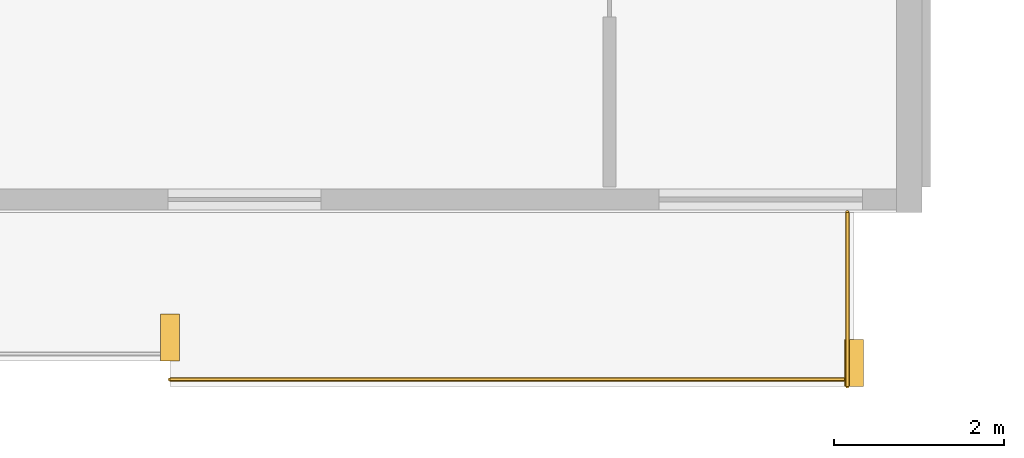
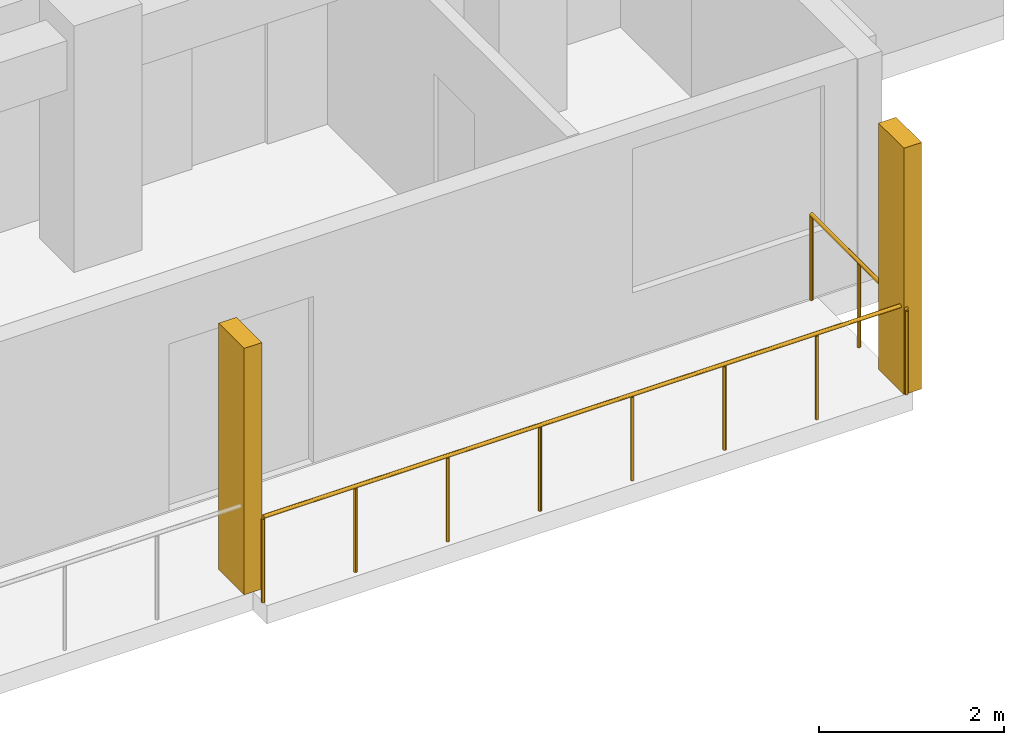
# One storey, part 20 of 22: 2 railings, 2 shading devices.
"""IFC4 building model written with IfcOpenShell, lengths in metres."""

import ifcopenshell
import ifcopenshell.guid

model = None  # the IFC model being written
_history = None  # IfcOwnerHistory: only IFC2X3 demands one
_inside = {}  # id of a spatial element -> (the spatial element, [elements in it])
_under = {}  # id of a project, library or spatial element -> (it, [spatial elements below it])
_declared = {}  # id of a project -> (the project, [libraries it declares])
_typed = {}  # id of a type object -> (the type object, [elements of that type])
_made_of = {}  # id of a material, layer set ... -> (it, [elements and type objects made of it])


def new_model(schema):
    """Start an empty IFC model of exactly this schema.

    Asked for "IFC4X3", IfcOpenShell would pick the latest addendum, in which some entities
    have other attributes; the version numbers below select the first issue.
    IFC2X3 requires an IfcOwnerHistory on every rooted entity: one is made here for all.
    """
    global model, _history
    if schema == "IFC4X3":
        model = ifcopenshell.file(schema_version=(4, 3, 0, 0))
    else:
        model = ifcopenshell.file(schema=schema)
    _inside.clear()
    _under.clear()
    _declared.clear()
    _typed.clear()
    _made_of.clear()
    _history = None
    if model.schema == "IFC2X3":
        org = make("IfcOrganization", Name="unknown")
        user = make(
            "IfcPersonAndOrganization",
            ThePerson=make("IfcPerson", FamilyName="unknown"),
            TheOrganization=org,
        )
        app = make(
            "IfcApplication",
            ApplicationDeveloper=org,
            Version="unknown",
            ApplicationFullName="unknown",
            ApplicationIdentifier="unknown",
        )
        _history = make(
            "IfcOwnerHistory",
            OwningUser=user,
            OwningApplication=app,
            ChangeAction="ADDED",
            CreationDate=0,
        )
    return model


def make(cls, **values):
    """One entity of the class cls with the attributes given. An attribute that is None is left unset."""
    return model.create_entity(
        cls, **{name: value for name, value in values.items() if value is not None}
    )


def rooted(cls, **values):
    """An entity with a GlobalId (a new one), such as an element, a storey or a relation."""
    return make(cls, GlobalId=ifcopenshell.guid.new(), OwnerHistory=_history, **values)


def si_unit(unit_type, name, prefix=None):
    """IfcSIUnit, for example si_unit("LENGTHUNIT", "METRE", prefix="MILLI")."""
    return make("IfcSIUnit", UnitType=unit_type, Prefix=prefix, Name=name)


def assignment(units):
    """IfcUnitAssignment: the units of a project."""
    return None if units is None else make("IfcUnitAssignment", Units=units)


def point(xyz):
    """IfcCartesianPoint."""
    return None if xyz is None else make("IfcCartesianPoint", Coordinates=xyz)


def direction(xyz):
    """IfcDirection."""
    return None if xyz is None else make("IfcDirection", DirectionRatios=xyz)


def frame(location, z_axis=None, x_axis=None):
    """IfcAxis2Placement3D, a coordinate frame: its origin and axes. An axis left out is left unset."""
    return make(
        "IfcAxis2Placement3D",
        Location=point(location),
        Axis=direction(z_axis),
        RefDirection=direction(x_axis),
    )


def frame_2d(location, x_axis=None):
    """IfcAxis2Placement2D, a coordinate frame in the plane: its origin and x axis."""
    return make(
        "IfcAxis2Placement2D", Location=point(location), RefDirection=direction(x_axis)
    )


def origin():
    """The frame at (0, 0, 0) with its axes left unset."""
    return frame((0.0, 0.0, 0.0))


def origin_2d():
    """The frame at (0, 0) in the plane with its x axis left unset."""
    return frame_2d((0.0, 0.0))


def place(relative_to, where):
    """IfcLocalPlacement: puts the frame where relative to a parent placement (None: the world)."""
    return make(
        "IfcLocalPlacement", PlacementRelTo=relative_to, RelativePlacement=where
    )


def context(
    kind, dimensions, precision=None, world=None, true_north=None, identifier=None
):
    """IfcGeometricRepresentationContext, for example the 3D "Model" context."""
    return make(
        "IfcGeometricRepresentationContext",
        ContextIdentifier=identifier,
        ContextType=kind,
        CoordinateSpaceDimension=dimensions,
        Precision=precision,
        WorldCoordinateSystem=world,
        TrueNorth=true_north,
    )


def subcontext(parent, identifier, kind, view, scale=None):
    """IfcGeometricRepresentationSubContext, for example "Body" below "Model"."""
    return make(
        "IfcGeometricRepresentationSubContext",
        ContextIdentifier=identifier,
        ContextType=kind,
        ParentContext=parent,
        TargetScale=scale,
        TargetView=view,
    )


def project(units=None, contexts=None):
    """IfcProject with its units and contexts."""
    return rooted(
        "IfcProject",
        Name="project",
        RepresentationContexts=contexts,
        UnitsInContext=assignment(units),
    )


def spatial(cls, under=None, at=None, **own):
    """A site, building, storey or space (cls), placed at a placement, below another one or the project."""
    s = rooted(cls, ObjectPlacement=at, **own)
    if under is not None:
        _under.setdefault(under.id(), (under, []))[1].append(s)
    return s


def profile(cls, at=None, kind="AREA", **sizes):
    """A parametric profile (cls). Its sizes go by their IFC names, for example OverallWidth=200.0."""
    return make(cls, ProfileType=kind, Position=at, **sizes)


def rectangle(**sizes):
    """IfcRectangleProfileDef."""
    return profile("IfcRectangleProfileDef", **sizes)


def circle(**sizes):
    """IfcCircleProfileDef."""
    return profile("IfcCircleProfileDef", **sizes)


def extrude(swept, where, along, depth):
    """IfcExtrudedAreaSolid: the profile swept, set in the frame where, extruded along a direction by depth."""
    return make(
        "IfcExtrudedAreaSolid",
        SweptArea=swept,
        Position=where,
        ExtrudedDirection=direction(along),
        Depth=depth,
    )


def shape(context_of_items, identifier, shape_type, items):
    """IfcShapeRepresentation: the items that make up one representation, for example the "Body"."""
    return make(
        "IfcShapeRepresentation",
        ContextOfItems=context_of_items,
        RepresentationIdentifier=identifier,
        RepresentationType=shape_type,
        Items=items,
    )


def material(Name=None, Category=None):
    """IfcMaterial."""
    return make("IfcMaterial", Name=Name, Category=Category)


def made_of(thing, what):
    """Note that an element or type object is made of a material, layer set ...; save() writes the relation."""
    if what is not None:
        _made_of.setdefault(what.id(), (what, []))[1].append(thing)
    return thing


def type_object(cls, material=None, **own):
    """A type object (cls), such as IfcWallType, which elements share."""
    return made_of(rooted(cls, **own), material)


def element(
    cls,
    number,
    at=None,
    inside=None,
    cuts=None,
    type_object=None,
    material=None,
    context=None,
    identifier="Body",
    shape_type=None,
    held_by="IfcProductDefinitionShape",
    body=None,
    shapes=None,
    **own,
):
    """One element of the class cls, such as IfcWall. Its Tag is "e" and its number.

    at: its placement. inside: the storey or other place that contains it. cuts: it is an
    opening in that element (IfcRelVoidsElement). A single representation is given by context,
    identifier, shape_type and body (its items); several are given by shapes. held_by: the class
    of the entity that holds the representations. save() writes the other relations.
    """
    e = rooted(cls, Tag="e%d" % number, ObjectPlacement=at, **own)
    if body is not None:
        shapes = [shape(context, identifier, shape_type, body)]
    if shapes is not None:
        e.Representation = make(held_by, Representations=shapes)
    if inside is not None:
        _inside.setdefault(inside.id(), (inside, []))[1].append(e)
    if cuts is not None:
        rooted(
            "IfcRelVoidsElement", RelatingBuildingElement=cuts, RelatedOpeningElement=e
        )
    if type_object is not None:
        _typed.setdefault(type_object.id(), (type_object, []))[1].append(e)
    return made_of(e, material)


def aggregate(whole, parts):
    """IfcRelAggregates: a whole, such as a stair, and the parts it consists of."""
    return rooted("IfcRelAggregates", RelatingObject=whole, RelatedObjects=parts)


def save(model, path):
    """Write the relations noted so far, then the file.

    IfcRelAggregates (storeys below a building ...), IfcRelContainedInSpatialStructure (elements
    in a storey), IfcRelDefinesByType, IfcRelAssociatesMaterial and IfcRelDeclares: one each for
    every whole, place, type object, material and project.
    """
    for whole, parts in _under.values():
        aggregate(whole, parts)
    for where, things in _inside.values():
        rooted(
            "IfcRelContainedInSpatialStructure",
            RelatedElements=things,
            RelatingStructure=where,
        )
    for kind, things in _typed.values():
        rooted("IfcRelDefinesByType", RelatedObjects=things, RelatingType=kind)
    for what, things in _made_of.values():
        rooted("IfcRelAssociatesMaterial", RelatedObjects=things, RelatingMaterial=what)
    for by, libraries in _declared.values():
        rooted("IfcRelDeclares", RelatingContext=by, RelatedDefinitions=libraries)
    model.write(path)


model = new_model("IFC4")

# Units and contexts
model_context = context("Model", 3, precision=1e-05, world=origin(), true_north=direction((0.0, 1.0)))
body_context = subcontext(model_context, "Body", "Model", "MODEL_VIEW")
ifc_project = project(units=[si_unit("LENGTHUNIT", "METRE"), si_unit("AREAUNIT", "SQUARE_METRE"), si_unit("VOLUMEUNIT", "CUBIC_METRE"), si_unit("PLANEANGLEUNIT", "RADIAN"), si_unit("MASSUNIT", "GRAM", prefix="KILO")], contexts=[model_context])

# Site, building, storey
site_placement = place(None, origin())
site = spatial("IfcSite", under=ifc_project, at=site_placement, CompositionType="ELEMENT")
building_placement = place(site_placement, origin())
building = spatial("IfcBuilding", under=site, at=building_placement, Name="Korimba Cascade Residences", CompositionType="ELEMENT")
storey_placement = place(building_placement, frame((0.0, 0.0, 80.800048828125)))
storey = spatial("IfcBuildingStorey", under=building, at=storey_placement, Name="L22", CompositionType="ELEMENT", Elevation=80.800048828125)

# Railings
ifc_material_1 = material(Name="Laminated Glass and Bronze Balustrade", Category="glass")
railing_type = type_object("IfcRailingType", Name="RLG-LOG-1150", PredefinedType="BALUSTRADE", material=ifc_material_1)
railing_1_placement = place(storey_placement, frame((121.843017578125, -10.969970703125, 0.0)))
element("IfcRailing", 1, at=railing_1_placement, inside=storey, type_object=railing_type, Name="L22 Perimeter Guardrail RLG-L22-T2-LOG-06", PredefinedType="BALUSTRADE", context=body_context, shape_type="SweptSolid", body=[
    extrude(circle(Radius=0.02392578125, at=origin_2d()), frame((0.0, 0.0, 1.1259765625), z_axis=(1.0, 0.0, 0.0), x_axis=(0.0, 1.0, 0.0)), (0.0, 0.0, 1.0), 8.056884765625),
    extrude(circle(Radius=0.02099609375, at=origin_2d()), origin(), (0.0, 0.0, 1.0), 1.101806640625),
    extrude(circle(Radius=0.02099609375, at=origin_2d()), frame((1.15087890625, 0.0, 0.0)), (0.0, 0.0, 1.0), 1.101806640625),
    extrude(circle(Radius=0.02099609375, at=origin_2d()), frame((2.302001953125, 0.0, 0.0)), (0.0, 0.0, 1.0), 1.101806640625),
    extrude(circle(Radius=0.02099609375, at=origin_2d()), frame((3.452880859375, 0.0, 0.0)), (0.0, 0.0, 1.0), 1.101806640625),
    extrude(circle(Radius=0.02099609375, at=origin_2d()), frame((4.60400390625, 0.0, 0.0)), (0.0, 0.0, 1.0), 1.101806640625),
    extrude(circle(Radius=0.02099609375, at=origin_2d()), frame((5.7548828125, 0.0, 0.0)), (0.0, 0.0, 1.0), 1.101806640625),
    extrude(circle(Radius=0.02099609375, at=origin_2d()), frame((6.906005859375, 0.0, 0.0)), (0.0, 0.0, 1.0), 1.101806640625),
    extrude(circle(Radius=0.02099609375, at=origin_2d()), frame((8.056884765625, 0.0, 0.0)), (0.0, 0.0, 1.0), 1.101806640625),
])
railing_2_placement = place(storey_placement, frame((129.820068359375, -11.050048828125, 0.0)))
element("IfcRailing", 2, at=railing_2_placement, inside=storey, type_object=railing_type, Name="L22 Perimeter Guardrail RLG-L22-T2-LOG-07", PredefinedType="BALUSTRADE", context=body_context, shape_type="SweptSolid", body=[
    extrude(circle(Radius=0.02392578125, at=origin_2d()), frame((0.0, 0.0, 1.1259765625), z_axis=(0.0, 1.0, 0.0), x_axis=(-1.0, 0.0, 0.0)), (0.0, 0.0, 1.0), 2.050048828125),
    extrude(circle(Radius=0.02099609375, at=origin_2d()), origin(), (0.0, 0.0, 1.0), 1.101806640625),
    extrude(circle(Radius=0.02099609375, at=origin_2d()), frame((0.0, 1.02490234375, 0.0)), (0.0, 0.0, 1.0), 1.101806640625),
    extrude(circle(Radius=0.02099609375, at=origin_2d()), frame((0.0, 2.050048828125, 0.0)), (0.0, 0.0, 1.0), 1.101806640625),
])

# Shading devices
ifc_material_2 = material(Name="Honed Sandstone Precast Fin", Category="masonry")
shading_device_type = type_object("IfcShadingDeviceType", Name="SHD-FIN-550", PredefinedType="USERDEFINED", material=ifc_material_2)
for number, where, z_axis, x_axis, name in (
    (3, (121.843017578125, -10.47509765625, 0.0), (0.0, 0.0, 1.0), (1.0, 0.0, 0.0), "L22 T2 Warm-Stone Loggia Fin 7"),
    (4, (129.89990234375, -10.77490234375, 0.0), (0.0, 0.0, 1.0), (1.0, 0.0, 0.0), "L22 T2 Warm-Stone Loggia Fin 8"),
):
    element("IfcShadingDevice", number, at=place(storey_placement, frame(where, z_axis=z_axis, x_axis=x_axis)), inside=storey, type_object=shading_device_type, Name=name, ObjectType="FIN", PredefinedType="USERDEFINED", context=body_context, shape_type="SweptSolid", body=[
        extrude(rectangle(XDim=0.219970703125, YDim=0.550048828125, at=origin_2d()), origin(), (0.0, 0.0, 1.0), 3.25),
    ])

save(model, "model.ifc")
